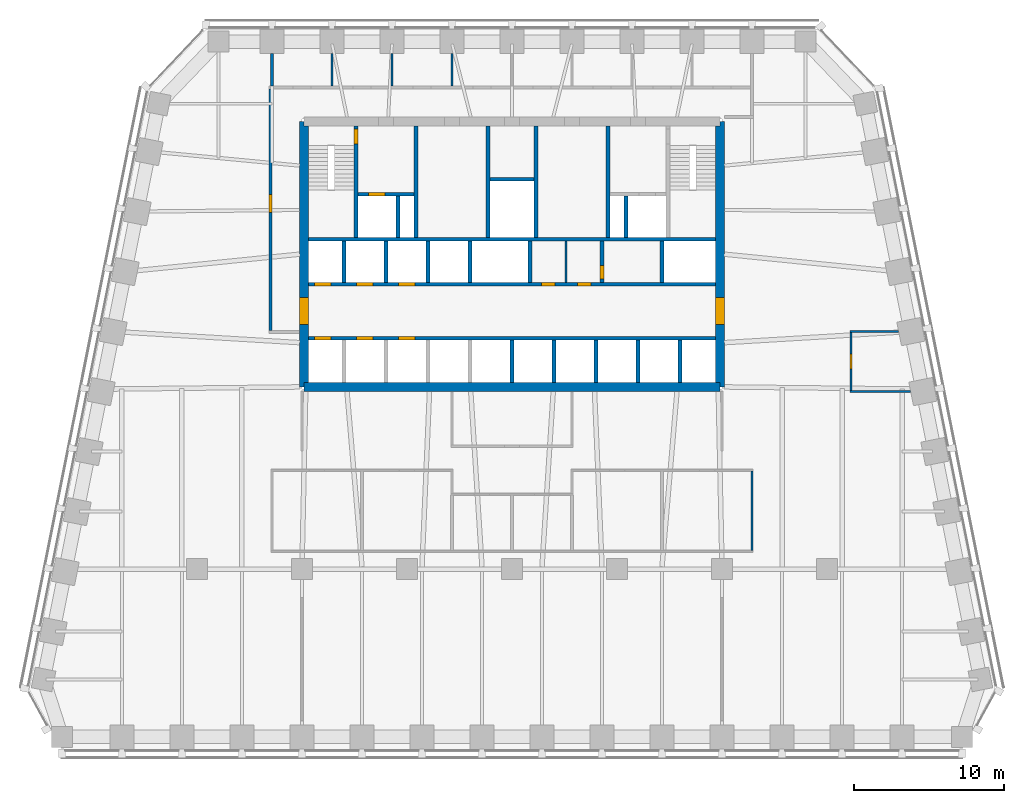
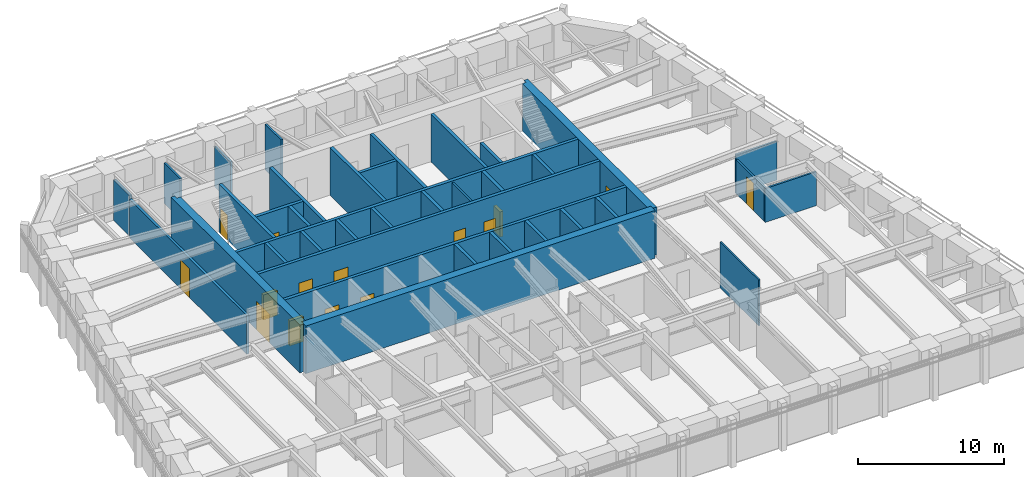
# One storey, part 6 of 9: 37 walls, 15 doors, 15 openings.
"""IFC4 building model written with IfcOpenShell, lengths in metres."""

from ifc_helpers import new_model, si_unit, direction, frame, frame_2d, origin, place, context, subcontext, project, spatial, polyline, rectangle, outline, extrude, material, layer, layer_set, type_object, element, fill, save


model = new_model("IFC4")

# Units and contexts
model_context = context("Model", 3, precision=1e-05, world=origin(), true_north=direction((0.0, 1.0)))
body_context = subcontext(model_context, "Body", "Model", "MODEL_VIEW")
ifc_project = project(units=[si_unit("LENGTHUNIT", "METRE"), si_unit("AREAUNIT", "SQUARE_METRE"), si_unit("VOLUMEUNIT", "CUBIC_METRE"), si_unit("PLANEANGLEUNIT", "RADIAN"), si_unit("MASSUNIT", "GRAM", prefix="KILO")], contexts=[model_context])

# Site, building, storey
site_placement = place(None, origin())
site = spatial("IfcSite", under=ifc_project, at=site_placement, CompositionType="ELEMENT")
building_placement = place(site_placement, origin())
building = spatial("IfcBuilding", under=site, at=building_placement, Name="Isbrekke Arena Tower", CompositionType="ELEMENT")
storey_placement = place(building_placement, frame((0.0, 0.0, 178.0)))
storey = spatial("IfcBuildingStorey", under=building, at=storey_placement, Name="L40", CompositionType="ELEMENT", Elevation=178.0)

# Wall
ifc_material_1 = material(Name="Concrete B55 (C55/67)", Category="concrete")
ifc_layer_1 = layer(ifc_material_1, 0.60009765625)
ifc_layer_set_1 = layer_set([ifc_layer_1], Name="CW4 CORE WALL 600")
wall_type_1 = type_object("IfcWallType", Name="CW4 CORE WALL 600", PredefinedType="SHEAR", material=ifc_layer_set_1)
wall_1_placement = place(storey_placement, frame((-13.85009765625, 6.14990234375, 0.0), z_axis=(0.0, 0.0, 1.0), x_axis=(1.0, 0.0, 0.0)))
element("IfcWall", 1, at=wall_1_placement, inside=storey, type_object=wall_type_1, Name="Core wall S L40", PredefinedType="SHEAR", context=body_context, shape_type="SweptSolid", body=[
    extrude(rectangle(XDim=27.7001953125, YDim=0.60009765625, at=frame_2d((13.85009765625, 0.0))), origin(), (0.0, 0.0, 1.0), 4.0),
])

# Wall, opening, door
wall_2_placement = place(storey_placement, frame((13.85009765625, 6.14990234375, 0.0), z_axis=(0.0, 0.0, 1.0), x_axis=(0.0, 1.0, 0.0)))
wall_2 = element("IfcWall", 2, at=wall_2_placement, inside=storey, type_object=wall_type_1, Name="Core wall E L40", PredefinedType="SHEAR", context=body_context, shape_type="SweptSolid", body=[
    extrude(outline(polyline([(0.0, -0.300048828125), (17.7001953125, -0.300048828125), (17.7001953125, 0.0), (17.400146484375, 0.0), (17.400146484375, 0.300048828125), (0.300048828125, 0.300048828125), (0.300048828125, 0.0), (0.0, 0.0), (0.0, -0.300048828125)])), origin(), (0.0, 0.0, 1.0), 4.0),
])
opening_1_placement = place(wall_2_placement, frame((4.14990234375, 0.0, 0.0)))
opening_1 = element("IfcOpeningElement", 3, at=opening_1_placement, cuts=wall_2, Name="Opening D1", PredefinedType="OPENING", context=body_context, shape_type="SweptSolid", body=[
    extrude(rectangle(XDim=1.800048828125, YDim=2.39990234375, at=frame_2d((0.89990234375, 1.199951171875))), frame((0.0, 0.31494140625, 0.0), z_axis=(0.0, -1.0, 0.0), x_axis=(1.0, 0.0, 0.0)), (0.0, 0.0, 1.0), 0.6298828125),
])
ifc_material_2 = material(Name="Steel-framed glazed fire door", Category="steel")
door_type_1 = type_object("IfcDoorType", Name="D1 CORE LOBBY DOOR 1800 x 2400", OperationType="DOUBLE_DOOR_SINGLE_SWING", PredefinedType="DOOR", material=ifc_material_2)
door_1_placement = place(opening_1_placement, origin())
door_1 = element("IfcDoor", 4, at=door_1_placement, inside=storey, type_object=door_type_1, Name="D1 lift lobby door east L40", OperationType="DOUBLE_DOOR_SINGLE_SWING", OverallHeight=2.39990234375, OverallWidth=1.800048828125, PredefinedType="DOOR", context=body_context, shape_type="SweptSolid", body=[
    extrude(rectangle(XDim=1.800048828125, YDim=2.39990234375, at=frame_2d((0.89990234375, 1.199951171875))), frame((0.0, 0.2998046875, 0.0), z_axis=(0.0, -1.0, 0.0), x_axis=(1.0, 0.0, 0.0)), (0.0, 0.0, 1.0), 0.599609375),
])
fill(opening_1, door_1)

wall_3_placement = place(storey_placement, frame((-13.85009765625, 23.85009765625, 0.0), z_axis=(0.0, 0.0, 1.0), x_axis=(0.0, -1.0, 0.0)))
wall_3 = element("IfcWall", 5, at=wall_3_placement, inside=storey, type_object=wall_type_1, Name="Core wall W L40", PredefinedType="SHEAR", context=body_context, shape_type="SweptSolid", body=[
    extrude(outline(polyline([(0.0, -0.300048828125), (17.7001953125, -0.300048828125), (17.7001953125, 0.0), (17.400146484375, 0.0), (17.400146484375, 0.300048828125), (0.300048828125, 0.300048828125), (0.300048828125, 0.0), (0.0, 0.0), (0.0, -0.300048828125)])), origin(), (0.0, 0.0, 1.0), 4.0),
])
opening_2_placement = place(wall_3_placement, frame((11.75, 0.0, 0.0)))
opening_2 = element("IfcOpeningElement", 6, at=opening_2_placement, cuts=wall_3, Name="Opening D1", PredefinedType="OPENING", context=body_context, shape_type="SweptSolid", body=[
    extrude(rectangle(XDim=1.800048828125, YDim=2.39990234375, at=frame_2d((0.89990234375, 1.199951171875))), frame((0.0, 0.31494140625, 0.0), z_axis=(0.0, -1.0, 0.0), x_axis=(1.0, 0.0, 0.0)), (0.0, 0.0, 1.0), 0.6298828125),
])
door_2_placement = place(opening_2_placement, origin())
door_2 = element("IfcDoor", 7, at=door_2_placement, inside=storey, type_object=door_type_1, Name="D1 lift lobby door west L40", OperationType="DOUBLE_DOOR_SINGLE_SWING", OverallHeight=2.39990234375, OverallWidth=1.800048828125, PredefinedType="DOOR", context=body_context, shape_type="SweptSolid", body=[
    extrude(rectangle(XDim=1.800048828125, YDim=2.39990234375, at=frame_2d((0.89990234375, 1.199951171875))), frame((0.0, 0.2998046875, 0.0), z_axis=(0.0, -1.0, 0.0), x_axis=(1.0, 0.0, 0.0)), (0.0, 0.0, 1.0), 0.599609375),
])
fill(opening_2, door_2)

# Wall, openings, doors
ifc_material_3 = material(Name="Concrete B45 (C45/55)", Category="concrete")
ifc_layer_2 = layer(ifc_material_3, 0.25)
ifc_layer_set_2 = layer_set([ifc_layer_2], Name="CW6 SHAFT WALL 250")
wall_type_2 = type_object("IfcWallType", Name="CW6 SHAFT WALL 250", PredefinedType="SHEAR", material=ifc_layer_set_2)
wall_4_placement = place(storey_placement, frame((-13.550048828125, 9.39990234375, 0.0), z_axis=(0.0, 0.0, 1.0), x_axis=(1.0, 0.0, 0.0)))
wall_4 = element("IfcWall", 8, at=wall_4_placement, inside=storey, type_object=wall_type_2, Name="Core wall LS L40", PredefinedType="SHEAR", context=body_context, shape_type="SweptSolid", body=[
    extrude(rectangle(XDim=27.10009765625, YDim=0.25, at=frame_2d((13.550048828125, 0.0))), origin(), (0.0, 0.0, 1.0), 4.0),
])
opening_3_placement = place(wall_4_placement, frame((0.39990234375, 0.0, 0.0)))
opening_3 = element("IfcOpeningElement", 9, at=opening_3_placement, cuts=wall_4, Name="Opening LD1", PredefinedType="OPENING", context=body_context, shape_type="SweptSolid", body=[
    extrude(rectangle(XDim=1.10009765625, YDim=2.10009765625, at=frame_2d((0.550048828125, 1.050048828125))), frame((0.0, 0.139892578125, 0.0), z_axis=(0.0, -1.0, 0.0), x_axis=(1.0, 0.0, 0.0)), (0.0, 0.0, 1.0), 0.27978515625),
])
opening_4_placement = place(wall_4_placement, frame((3.199951171875, 0.0, 0.0)))
opening_4 = element("IfcOpeningElement", 10, at=opening_4_placement, cuts=wall_4, Name="Opening LD1", PredefinedType="OPENING", context=body_context, shape_type="SweptSolid", body=[
    extrude(rectangle(XDim=1.10009765625, YDim=2.10009765625, at=frame_2d((0.550048828125, 1.050048828125))), frame((0.0, 0.139892578125, 0.0), z_axis=(0.0, -1.0, 0.0), x_axis=(1.0, 0.0, 0.0)), (0.0, 0.0, 1.0), 0.27978515625),
])
opening_5_placement = place(wall_4_placement, frame((6.0, 0.0, 0.0)))
opening_5 = element("IfcOpeningElement", 11, at=opening_5_placement, cuts=wall_4, Name="Opening LD1", PredefinedType="OPENING", context=body_context, shape_type="SweptSolid", body=[
    extrude(rectangle(XDim=1.10009765625, YDim=2.10009765625, at=frame_2d((0.550048828125, 1.050048828125))), frame((0.0, 0.139892578125, 0.0), z_axis=(0.0, -1.0, 0.0), x_axis=(1.0, 0.0, 0.0)), (0.0, 0.0, 1.0), 0.27978515625),
])
ifc_material_4 = material(Name="Stainless steel lift landing door", Category="steel")
door_type_2 = type_object("IfcDoorType", Name="LD1 LIFT LANDING DOOR 1100 x 2100", OperationType="SLIDING_TO_LEFT", PredefinedType="DOOR", material=ifc_material_4)
door_3_placement = place(opening_3_placement, origin())
door_3 = element("IfcDoor", 12, at=door_3_placement, inside=storey, type_object=door_type_2, Name="LD1 lift landing door LC L40", OperationType="SLIDING_TO_LEFT", OverallHeight=2.10009765625, OverallWidth=1.10009765625, PredefinedType="DOOR", context=body_context, shape_type="SweptSolid", body=[
    extrude(rectangle(XDim=1.10009765625, YDim=2.10009765625, at=frame_2d((0.550048828125, 1.050048828125))), frame((0.0, 0.124755859375, 0.0), z_axis=(0.0, -1.0, 0.0), x_axis=(1.0, 0.0, 0.0)), (0.0, 0.0, 1.0), 0.24951171875),
])
fill(opening_3, door_3)
door_4_placement = place(opening_4_placement, origin())
door_4 = element("IfcDoor", 13, at=door_4_placement, inside=storey, type_object=door_type_2, Name="LD1 lift landing door LC L40", OperationType="SLIDING_TO_LEFT", OverallHeight=2.10009765625, OverallWidth=1.10009765625, PredefinedType="DOOR", context=body_context, shape_type="SweptSolid", body=[
    extrude(rectangle(XDim=1.10009765625, YDim=2.10009765625, at=frame_2d((0.550048828125, 1.050048828125))), frame((0.0, 0.124755859375, 0.0), z_axis=(0.0, -1.0, 0.0), x_axis=(1.0, 0.0, 0.0)), (0.0, 0.0, 1.0), 0.24951171875),
])
fill(opening_4, door_4)
door_5_placement = place(opening_5_placement, origin())
door_5 = element("IfcDoor", 14, at=door_5_placement, inside=storey, type_object=door_type_2, Name="LD1 lift landing door LC L40", OperationType="SLIDING_TO_LEFT", OverallHeight=2.10009765625, OverallWidth=1.10009765625, PredefinedType="DOOR", context=body_context, shape_type="SweptSolid", body=[
    extrude(rectangle(XDim=1.10009765625, YDim=2.10009765625, at=frame_2d((0.550048828125, 1.050048828125))), frame((0.0, 0.124755859375, 0.0), z_axis=(0.0, -1.0, 0.0), x_axis=(1.0, 0.0, 0.0)), (0.0, 0.0, 1.0), 0.24951171875),
])
fill(opening_5, door_5)

wall_5_placement = place(storey_placement, frame((-13.550048828125, 13.0, 0.0), z_axis=(0.0, 0.0, 1.0), x_axis=(1.0, 0.0, 0.0)))
wall_5 = element("IfcWall", 15, at=wall_5_placement, inside=storey, type_object=wall_type_2, Name="Core wall LN L40", PredefinedType="SHEAR", context=body_context, shape_type="SweptSolid", body=[
    extrude(rectangle(XDim=27.10009765625, YDim=0.25, at=frame_2d((13.550048828125, 0.0))), origin(), (0.0, 0.0, 1.0), 4.0),
])
opening_6_placement = place(wall_5_placement, frame((0.39990234375, 0.0, 0.0)))
opening_6 = element("IfcOpeningElement", 16, at=opening_6_placement, cuts=wall_5, Name="Opening LD1", PredefinedType="OPENING", context=body_context, shape_type="SweptSolid", body=[
    extrude(rectangle(XDim=1.10009765625, YDim=2.10009765625, at=frame_2d((0.550048828125, 1.050048828125))), frame((0.0, 0.139892578125, 0.0), z_axis=(0.0, -1.0, 0.0), x_axis=(1.0, 0.0, 0.0)), (0.0, 0.0, 1.0), 0.27978515625),
])
opening_7_placement = place(wall_5_placement, frame((3.199951171875, 0.0, 0.0)))
opening_7 = element("IfcOpeningElement", 17, at=opening_7_placement, cuts=wall_5, Name="Opening LD1", PredefinedType="OPENING", context=body_context, shape_type="SweptSolid", body=[
    extrude(rectangle(XDim=1.10009765625, YDim=2.10009765625, at=frame_2d((0.550048828125, 1.050048828125))), frame((0.0, 0.139892578125, 0.0), z_axis=(0.0, -1.0, 0.0), x_axis=(1.0, 0.0, 0.0)), (0.0, 0.0, 1.0), 0.27978515625),
])
opening_8_placement = place(wall_5_placement, frame((6.0, 0.0, 0.0)))
opening_8 = element("IfcOpeningElement", 18, at=opening_8_placement, cuts=wall_5, Name="Opening LD1", PredefinedType="OPENING", context=body_context, shape_type="SweptSolid", body=[
    extrude(rectangle(XDim=1.10009765625, YDim=2.10009765625, at=frame_2d((0.550048828125, 1.050048828125))), frame((0.0, 0.139892578125, 0.0), z_axis=(0.0, -1.0, 0.0), x_axis=(1.0, 0.0, 0.0)), (0.0, 0.0, 1.0), 0.27978515625),
])
opening_9_placement = place(wall_5_placement, frame((15.5, 0.0, 0.0)))
opening_9 = element("IfcOpeningElement", 19, at=opening_9_placement, cuts=wall_5, Name="Opening D5", PredefinedType="OPENING", context=body_context, shape_type="SweptSolid", body=[
    extrude(rectangle(XDim=0.89990234375, YDim=2.10009765625, at=frame_2d((0.449951171875, 1.050048828125))), frame((0.0, 0.139892578125, 0.0), z_axis=(0.0, -1.0, 0.0), x_axis=(1.0, 0.0, 0.0)), (0.0, 0.0, 1.0), 0.27978515625),
])
opening_10_placement = place(wall_5_placement, frame((17.89990234375, 0.0, 0.0)))
opening_10 = element("IfcOpeningElement", 20, at=opening_10_placement, cuts=wall_5, Name="Opening D5", PredefinedType="OPENING", context=body_context, shape_type="SweptSolid", body=[
    extrude(rectangle(XDim=0.89990234375, YDim=2.10009765625, at=frame_2d((0.449951171875, 1.050048828125))), frame((0.0, 0.139892578125, 0.0), z_axis=(0.0, -1.0, 0.0), x_axis=(1.0, 0.0, 0.0)), (0.0, 0.0, 1.0), 0.27978515625),
])
ifc_material_5 = material(Name="Steel fire door", Category="steel")
door_type_3 = type_object("IfcDoorType", Name="D5 SERVICE DOOR 900 x 2100", OperationType="SINGLE_SWING_LEFT", PredefinedType="DOOR", material=ifc_material_5)
door_6_placement = place(opening_9_placement, origin())
door_6 = element("IfcDoor", 21, at=door_6_placement, inside=storey, type_object=door_type_3, Name="D5 communications room door L40", OperationType="SINGLE_SWING_LEFT", OverallHeight=2.10009765625, OverallWidth=0.89990234375, PredefinedType="DOOR", context=body_context, shape_type="SweptSolid", body=[
    extrude(rectangle(XDim=0.89990234375, YDim=2.10009765625, at=frame_2d((0.449951171875, 1.050048828125))), frame((0.0, 0.124755859375, 0.0), z_axis=(0.0, -1.0, 0.0), x_axis=(1.0, 0.0, 0.0)), (0.0, 0.0, 1.0), 0.24951171875),
])
fill(opening_9, door_6)
door_7_placement = place(opening_10_placement, origin())
door_7 = element("IfcDoor", 22, at=door_7_placement, inside=storey, type_object=door_type_3, Name="D5 cleaner's store door L40", OperationType="SINGLE_SWING_LEFT", OverallHeight=2.10009765625, OverallWidth=0.89990234375, PredefinedType="DOOR", context=body_context, shape_type="SweptSolid", body=[
    extrude(rectangle(XDim=0.89990234375, YDim=2.10009765625, at=frame_2d((0.449951171875, 1.050048828125))), frame((0.0, 0.124755859375, 0.0), z_axis=(0.0, -1.0, 0.0), x_axis=(1.0, 0.0, 0.0)), (0.0, 0.0, 1.0), 0.24951171875),
])
fill(opening_10, door_7)
door_8_placement = place(opening_6_placement, origin())
door_8 = element("IfcDoor", 23, at=door_8_placement, inside=storey, type_object=door_type_2, Name="LD1 lift landing door LC L40", OperationType="SLIDING_TO_LEFT", OverallHeight=2.10009765625, OverallWidth=1.10009765625, PredefinedType="DOOR", context=body_context, shape_type="SweptSolid", body=[
    extrude(rectangle(XDim=1.10009765625, YDim=2.10009765625, at=frame_2d((0.550048828125, 1.050048828125))), frame((0.0, 0.124755859375, 0.0), z_axis=(0.0, -1.0, 0.0), x_axis=(1.0, 0.0, 0.0)), (0.0, 0.0, 1.0), 0.24951171875),
])
fill(opening_6, door_8)
door_9_placement = place(opening_7_placement, origin())
door_9 = element("IfcDoor", 24, at=door_9_placement, inside=storey, type_object=door_type_2, Name="LD1 lift landing door LC L40", OperationType="SLIDING_TO_LEFT", OverallHeight=2.10009765625, OverallWidth=1.10009765625, PredefinedType="DOOR", context=body_context, shape_type="SweptSolid", body=[
    extrude(rectangle(XDim=1.10009765625, YDim=2.10009765625, at=frame_2d((0.550048828125, 1.050048828125))), frame((0.0, 0.124755859375, 0.0), z_axis=(0.0, -1.0, 0.0), x_axis=(1.0, 0.0, 0.0)), (0.0, 0.0, 1.0), 0.24951171875),
])
fill(opening_7, door_9)
door_10_placement = place(opening_8_placement, origin())
door_10 = element("IfcDoor", 25, at=door_10_placement, inside=storey, type_object=door_type_2, Name="LD1 lift landing door LC L40", OperationType="SLIDING_TO_LEFT", OverallHeight=2.10009765625, OverallWidth=1.10009765625, PredefinedType="DOOR", context=body_context, shape_type="SweptSolid", body=[
    extrude(rectangle(XDim=1.10009765625, YDim=2.10009765625, at=frame_2d((0.550048828125, 1.050048828125))), frame((0.0, 0.124755859375, 0.0), z_axis=(0.0, -1.0, 0.0), x_axis=(1.0, 0.0, 0.0)), (0.0, 0.0, 1.0), 0.24951171875),
])
fill(opening_8, door_10)

# Walls
wall_6_placement = place(storey_placement, frame((-13.550048828125, 16.0, 0.0), z_axis=(0.0, 0.0, 1.0), x_axis=(1.0, 0.0, 0.0)))
element("IfcWall", 26, at=wall_6_placement, inside=storey, type_object=wall_type_2, Name="Core wall NB L40", PredefinedType="SHEAR", context=body_context, shape_type="SweptSolid", body=[
    extrude(rectangle(XDim=27.10009765625, YDim=0.25, at=frame_2d((13.550048828125, 0.0))), origin(), (0.0, 0.0, 1.0), 4.0),
])
for number, where, z_axis, x_axis, name in (
    (27, (0.0, 6.449951171875, 0.0), (0.0, 0.0, 1.0), (0.0, 1.0, 0.0), "Core wall SS05 L40"),
    (28, (2.800048828125, 6.449951171875, 0.0), (0.0, 0.0, 1.0), (0.0, 1.0, 0.0), "Core wall SS06 L40"),
    (29, (5.60009765625, 6.449951171875, 0.0), (0.0, 0.0, 1.0), (0.0, 1.0, 0.0), "Core wall SS07 L40"),
    (30, (8.39990234375, 6.449951171875, 0.0), (0.0, 0.0, 1.0), (0.0, 1.0, 0.0), "Core wall SS08 L40"),
    (31, (11.199951171875, 6.449951171875, 0.0), (0.0, 0.0, 1.0), (0.0, 1.0, 0.0), "Core wall SS09 L40"),
):
    element("IfcWall", number, at=place(storey_placement, frame(where, z_axis=z_axis, x_axis=x_axis)), inside=storey, type_object=wall_type_2, Name=name, PredefinedType="SHEAR", context=body_context, shape_type="SweptSolid", body=[
        extrude(rectangle(XDim=2.824951171875, YDim=0.25, at=frame_2d((1.41259765625, 0.0))), origin(), (0.0, 0.0, 1.0), 4.0),
    ])
for number, where, z_axis, x_axis, name in (
    (32, (-11.199951171875, 13.125, 0.0), (0.0, 0.0, 1.0), (0.0, 1.0, 0.0), "Core wall SN01 L40"),
    (33, (-8.39990234375, 13.125, 0.0), (0.0, 0.0, 1.0), (0.0, 1.0, 0.0), "Core wall SN02 L40"),
    (34, (-5.60009765625, 13.125, 0.0), (0.0, 0.0, 1.0), (0.0, 1.0, 0.0), "Core wall SN03 L40"),
    (35, (-2.800048828125, 13.125, 0.0), (0.0, 0.0, 1.0), (0.0, 1.0, 0.0), "Core wall SN04 L40"),
    (36, (1.199951171875, 13.125, 0.0), (0.0, 0.0, 1.0), (0.0, 1.0, 0.0), "Core wall SN05 L40"),
):
    element("IfcWall", number, at=place(storey_placement, frame(where, z_axis=z_axis, x_axis=x_axis)), inside=storey, type_object=wall_type_2, Name=name, PredefinedType="SHEAR", context=body_context, shape_type="SweptSolid", body=[
        extrude(rectangle(XDim=2.75, YDim=0.25, at=frame_2d((1.375, 0.0))), origin(), (0.0, 0.0, 1.0), 4.0),
    ])

# Wall, opening, door
wall_7_placement = place(storey_placement, frame((6.0, 13.125, 0.0), z_axis=(0.0, 0.0, 1.0), x_axis=(0.0, 1.0, 0.0)))
wall_7 = element("IfcWall", 37, at=wall_7_placement, inside=storey, type_object=wall_type_2, Name="Core wall SN06 L40", PredefinedType="SHEAR", context=body_context, shape_type="SweptSolid", body=[
    extrude(rectangle(XDim=2.75, YDim=0.25, at=frame_2d((1.375, 0.0))), origin(), (0.0, 0.0, 1.0), 4.0),
])
opening_11_placement = place(wall_7_placement, frame((0.22509765625, 0.0, 0.0)))
opening_11 = element("IfcOpeningElement", 38, at=opening_11_placement, cuts=wall_7, Name="Opening D5", PredefinedType="OPENING", context=body_context, shape_type="SweptSolid", body=[
    extrude(rectangle(XDim=0.89990234375, YDim=2.10009765625, at=frame_2d((0.449951171875, 1.050048828125))), frame((0.0, 0.139892578125, 0.0), z_axis=(0.0, -1.0, 0.0), x_axis=(1.0, 0.0, 0.0)), (0.0, 0.0, 1.0), 0.27978515625),
])
door_11_placement = place(opening_11_placement, frame((0.89990234375, 0.0, 0.0), z_axis=(0.0, 0.0, 1.0), x_axis=(-1.0, 0.0, 0.0)))
door_11 = element("IfcDoor", 39, at=door_11_placement, inside=storey, type_object=door_type_3, Name="D5 tenant store door L40", OperationType="SINGLE_SWING_LEFT", OverallHeight=2.10009765625, OverallWidth=0.89990234375, PredefinedType="DOOR", context=body_context, shape_type="SweptSolid", body=[
    extrude(rectangle(XDim=0.89990234375, YDim=2.10009765625, at=frame_2d((0.449951171875, 1.050048828125))), frame((0.0, 0.124755859375, 0.0), z_axis=(0.0, -1.0, 0.0), x_axis=(1.0, 0.0, 0.0)), (0.0, 0.0, 1.0), 0.24951171875),
])
fill(opening_11, door_11)

# Wall
wall_8_placement = place(storey_placement, frame((10.0, 13.125, 0.0), z_axis=(0.0, 0.0, 1.0), x_axis=(0.0, 1.0, 0.0)))
element("IfcWall", 40, at=wall_8_placement, inside=storey, type_object=wall_type_2, Name="Core wall SN07 L40", PredefinedType="SHEAR", context=body_context, shape_type="SweptSolid", body=[
    extrude(rectangle(XDim=2.75, YDim=0.25, at=frame_2d((1.375, 0.0))), origin(), (0.0, 0.0, 1.0), 4.0),
])

# Wall, opening, door
wall_9_placement = place(storey_placement, frame((-10.39990234375, 16.125, 0.0), z_axis=(0.0, 0.0, 1.0), x_axis=(0.0, 1.0, 0.0)))
wall_9 = element("IfcWall", 41, at=wall_9_placement, inside=storey, type_object=wall_type_2, Name="Core wall NV01 L40", PredefinedType="SHEAR", context=body_context, shape_type="SweptSolid", body=[
    extrude(rectangle(XDim=7.425048828125, YDim=0.25, at=frame_2d((3.71240234375, 0.0))), origin(), (0.0, 0.0, 1.0), 4.0),
])
opening_12_placement = place(wall_9_placement, frame((6.22509765625, 0.0, 0.0)))
opening_12 = element("IfcOpeningElement", 42, at=opening_12_placement, cuts=wall_9, Name="Opening D2", PredefinedType="OPENING", context=body_context, shape_type="SweptSolid", body=[
    extrude(rectangle(XDim=1.0, YDim=2.10009765625, at=frame_2d((0.5, 1.050048828125))), frame((0.0, 0.139892578125, 0.0), z_axis=(0.0, -1.0, 0.0), x_axis=(1.0, 0.0, 0.0)), (0.0, 0.0, 1.0), 0.27978515625),
])
ifc_material_6 = material(Name="Steel fire door", Category="steel")
door_type_4 = type_object("IfcDoorType", Name="D2 STAIR DOOR 1000 x 2100", OperationType="SINGLE_SWING_LEFT", PredefinedType="DOOR", material=ifc_material_6)
door_12_placement = place(opening_12_placement, origin())
door_12 = element("IfcDoor", 43, at=door_12_placement, inside=storey, type_object=door_type_4, Name="D2 stair door ST1 L40", OperationType="SINGLE_SWING_LEFT", OverallHeight=2.10009765625, OverallWidth=1.0, PredefinedType="DOOR", context=body_context, shape_type="SweptSolid", body=[
    extrude(rectangle(XDim=1.0, YDim=2.10009765625, at=frame_2d((0.5, 1.050048828125))), frame((0.0, 0.124755859375, 0.0), z_axis=(0.0, -1.0, 0.0), x_axis=(1.0, 0.0, 0.0)), (0.0, 0.0, 1.0), 0.24951171875),
])
fill(opening_12, door_12)

# Walls
for number, where, z_axis, x_axis, name in (
    (44, (-6.39990234375, 16.125, 0.0), (0.0, 0.0, 1.0), (0.0, 1.0, 0.0), "Core wall NV02 L40"),
    (45, (-1.60009765625, 16.125, 0.0), (0.0, 0.0, 1.0), (0.0, 1.0, 0.0), "Core wall NV03 L40"),
    (46, (1.60009765625, 16.125, 0.0), (0.0, 0.0, 1.0), (0.0, 1.0, 0.0), "Core wall NV04 L40"),
    (47, (6.39990234375, 16.125, 0.0), (0.0, 0.0, 1.0), (0.0, 1.0, 0.0), "Core wall NV05 L40"),
):
    element("IfcWall", number, at=place(storey_placement, frame(where, z_axis=z_axis, x_axis=x_axis)), inside=storey, type_object=wall_type_2, Name=name, PredefinedType="SHEAR", context=body_context, shape_type="SweptSolid", body=[
        extrude(rectangle(XDim=7.425048828125, YDim=0.25, at=frame_2d((3.71240234375, 0.0))), origin(), (0.0, 0.0, 1.0), 4.0),
    ])

# Wall, opening, door
wall_10_placement = place(storey_placement, frame((-10.27490234375, 19.0, 0.0), z_axis=(0.0, 0.0, 1.0), x_axis=(1.0, 0.0, 0.0)))
wall_10 = element("IfcWall", 48, at=wall_10_placement, inside=storey, type_object=wall_type_2, Name="Core wall NFW L40", PredefinedType="SHEAR", context=body_context, shape_type="SweptSolid", body=[
    extrude(rectangle(XDim=3.75, YDim=0.25, at=frame_2d((1.875, 0.0))), origin(), (0.0, 0.0, 1.0), 4.0),
])
opening_13_placement = place(wall_10_placement, frame((0.72509765625, 0.0, 0.0)))
opening_13 = element("IfcOpeningElement", 49, at=opening_13_placement, cuts=wall_10, Name="Opening LD2", PredefinedType="OPENING", context=body_context, shape_type="SweptSolid", body=[
    extrude(rectangle(XDim=1.10009765625, YDim=2.10009765625, at=frame_2d((0.550048828125, 1.050048828125))), frame((0.0, 0.139892578125, 0.0), z_axis=(0.0, -1.0, 0.0), x_axis=(1.0, 0.0, 0.0)), (0.0, 0.0, 1.0), 0.27978515625),
])
ifc_material_7 = material(Name="Stainless steel lift landing door", Category="steel")
door_type_5 = type_object("IfcDoorType", Name="LD2 FIRE-FIGHTING LIFT LANDING DOOR 1100 x 2100", OperationType="SLIDING_TO_RIGHT", PredefinedType="DOOR", material=ifc_material_7)
door_13_placement = place(opening_13_placement, origin())
door_13 = element("IfcDoor", 50, at=door_13_placement, inside=storey, type_object=door_type_5, Name="LD2 lift landing door LF L40", OperationType="SLIDING_TO_RIGHT", OverallHeight=2.10009765625, OverallWidth=1.10009765625, PredefinedType="DOOR", context=body_context, shape_type="SweptSolid", body=[
    extrude(rectangle(XDim=1.10009765625, YDim=2.10009765625, at=frame_2d((0.550048828125, 1.050048828125))), frame((0.0, 0.124755859375, 0.0), z_axis=(0.0, -1.0, 0.0), x_axis=(1.0, 0.0, 0.0)), (0.0, 0.0, 1.0), 0.24951171875),
])
fill(opening_13, door_13)

# Walls
for number, where, z_axis, x_axis, name in (
    (51, (-7.60009765625, 16.125, 0.0), (0.0, 0.0, 1.0), (0.0, 1.0, 0.0), "Core wall NFS1 L40"),
    (52, (7.60009765625, 16.125, 0.0), (0.0, 0.0, 1.0), (0.0, 1.0, 0.0), "Core wall NFS2 L40"),
):
    element("IfcWall", number, at=place(storey_placement, frame(where, z_axis=z_axis, x_axis=x_axis)), inside=storey, type_object=wall_type_2, Name=name, PredefinedType="SHEAR", context=body_context, shape_type="SweptSolid", body=[
        extrude(rectangle(XDim=2.75, YDim=0.25, at=frame_2d((1.375, 0.0))), origin(), (0.0, 0.0, 1.0), 4.0),
    ])
wall_11_placement = place(storey_placement, frame((-1.47509765625, 20.0, 0.0), z_axis=(0.0, 0.0, 1.0), x_axis=(1.0, 0.0, 0.0)))
element("IfcWall", 53, at=wall_11_placement, inside=storey, type_object=wall_type_2, Name="Core wall NWC L40", PredefinedType="SHEAR", context=body_context, shape_type="SweptSolid", body=[
    extrude(rectangle(XDim=2.9501953125, YDim=0.25, at=frame_2d((1.47509765625, 0.0))), origin(), (0.0, 0.0, 1.0), 4.0),
])
ifc_material_8 = material(Name="Gypsum board partition on steel studs", Category="steel")
ifc_layer_3 = layer(ifc_material_8, 0.14990234375)
ifc_layer_set_3 = layer_set([ifc_layer_3], Name="IW1 PARTITION 150")
wall_type_3 = type_object("IfcWallType", Name="IW1 PARTITION 150", PredefinedType="PARTITIONING", material=ifc_layer_set_3)
wall_12_placement = place(storey_placement, frame((22.52490234375, 5.840087890625, 0.0), z_axis=(0.0, 0.0, 1.0), x_axis=(1.0, 0.0, 0.0)))
element("IfcWall", 54, at=wall_12_placement, inside=storey, type_object=wall_type_3, Name="IW1 partition 150 L40", PredefinedType="PARTITIONING", context=body_context, shape_type="SweptSolid", body=[
    extrude(rectangle(XDim=4.0498046875, YDim=0.14990234375, at=frame_2d((2.02490234375, 0.0))), origin(), (0.0, 0.0, 1.0), 2.842041015625),
])
wall_13_placement = place(storey_placement, frame((22.52490234375, 9.840087890625, 0.0), z_axis=(0.0, 0.0, 1.0), x_axis=(1.0, 0.0, 0.0)))
element("IfcWall", 55, at=wall_13_placement, inside=storey, type_object=wall_type_3, Name="IW1 partition 150 L40", PredefinedType="PARTITIONING", context=body_context, shape_type="SweptSolid", body=[
    extrude(rectangle(XDim=3.25, YDim=0.14990234375, at=frame_2d((1.625, 0.0))), origin(), (0.0, 0.0, 1.0), 3.25),
])
for number, where, z_axis, x_axis, name in (
    (56, (-12.0, 26.199951171875, 0.0), (0.0, 0.0, 1.0), (0.0, 1.0, 0.0), "IW1 partition 150 L40"),
    (57, (-8.0, 26.199951171875, 0.0), (0.0, 0.0, 1.0), (0.0, 1.0, 0.0), "IW1 partition 150 L40"),
):
    element("IfcWall", number, at=place(storey_placement, frame(where, z_axis=z_axis, x_axis=x_axis)), inside=storey, type_object=wall_type_3, Name=name, PredefinedType="PARTITIONING", context=body_context, shape_type="SweptSolid", body=[
        extrude(rectangle(XDim=2.175048828125, YDim=0.14990234375, at=frame_2d((1.08740234375, 0.0))), origin(), (0.0, 0.0, 1.0), 3.39990234375),
    ])
wall_14_placement = place(storey_placement, frame((-4.0, 26.199951171875, 0.0), z_axis=(0.0, 0.0, 1.0), x_axis=(0.0, 1.0, 0.0)))
element("IfcWall", 58, at=wall_14_placement, inside=storey, type_object=wall_type_3, Name="IW1 partition 150 L40", PredefinedType="PARTITIONING", context=body_context, shape_type="SweptSolid", body=[
    extrude(rectangle(XDim=2.175048828125, YDim=0.14990234375, at=frame_2d((1.08740234375, 0.0))), origin(), (0.0, 0.0, 1.0), 3.85009765625),
])

# Wall, opening, door
wall_15_placement = place(storey_placement, frame((22.60009765625, 5.9150390625, 0.0), z_axis=(0.0, 0.0, 1.0), x_axis=(0.0, 1.0, 0.0)))
wall_15 = element("IfcWall", 59, at=wall_15_placement, inside=storey, type_object=wall_type_3, Name="IW1 partition 150 L40", PredefinedType="PARTITIONING", context=body_context, shape_type="SweptSolid", body=[
    extrude(rectangle(XDim=3.849853515625, YDim=0.14990234375, at=frame_2d((1.9248046875, 0.0))), origin(), (0.0, 0.0, 1.0), 2.842041015625),
])
opening_14_placement = place(wall_15_placement, frame((1.425048828125, 0.0, 0.0)))
opening_14 = element("IfcOpeningElement", 60, at=opening_14_placement, cuts=wall_15, Name="Opening D10", PredefinedType="OPENING", context=body_context, shape_type="SweptSolid", body=[
    extrude(rectangle(XDim=1.0, YDim=2.300048828125, at=frame_2d((0.5, 1.14990234375))), frame((0.0, 0.08984375, 0.0), z_axis=(0.0, -1.0, 0.0), x_axis=(1.0, 0.0, 0.0)), (0.0, 0.0, 1.0), 0.1796875),
])
ifc_material_9 = material(Name="Timber door", Category="wood")
door_type_6 = type_object("IfcDoorType", Name="D10 OFFICE DOOR 1000 x 2300", OperationType="SINGLE_SWING_LEFT", PredefinedType="DOOR", material=ifc_material_9)
door_14_placement = place(opening_14_placement, origin())
door_14 = element("IfcDoor", 61, at=door_14_placement, inside=storey, type_object=door_type_6, Name="D10 pantry door L40", OperationType="SINGLE_SWING_LEFT", OverallHeight=2.300048828125, OverallWidth=1.0, PredefinedType="DOOR", context=body_context, shape_type="SweptSolid", body=[
    extrude(rectangle(XDim=1.0, YDim=2.300048828125, at=frame_2d((0.5, 1.14990234375))), frame((0.0, 0.07470703125, 0.0), z_axis=(0.0, -1.0, 0.0), x_axis=(1.0, 0.0, 0.0)), (0.0, 0.0, 1.0), 0.1494140625),
])
fill(opening_14, door_14)

# Wall
ifc_material_10 = material(Name="Frameless glazed partition, laminated acoustic glass", Category="glass")
ifc_layer_4 = layer(ifc_material_10, 0.1201171875)
ifc_layer_set_4 = layer_set([ifc_layer_4], Name="IW2 GLAZED PARTITION 120")
wall_type_4 = type_object("IfcWallType", Name="IW2 GLAZED PARTITION 120", PredefinedType="PARTITIONING", material=ifc_layer_set_4)
wall_16_placement = place(storey_placement, frame((16.0, -4.739990234375, 0.0), z_axis=(0.0, 0.0, 1.0), x_axis=(0.0, 1.0, 0.0)))
element("IfcWall", 62, at=wall_16_placement, inside=storey, type_object=wall_type_4, Name="IW2 glazed partition 120 L40", PredefinedType="PARTITIONING", context=body_context, shape_type="SweptSolid", body=[
    extrude(rectangle(XDim=5.280029296875, YDim=0.1201171875, at=frame_2d((2.64013671875, 0.0))), origin(), (0.0, 0.0, 1.0), 3.85009765625),
])

# Wall, opening, door
ifc_material_11 = material(Name="Gypsum board fire-cell wall on steel studs, two layers each side", Category="steel")
ifc_layer_5 = layer(ifc_material_11, 0.199951171875)
ifc_layer_set_5 = layer_set([ifc_layer_5], Name="IW3 FIRE-CELL WALL 200")
wall_type_5 = type_object("IfcWallType", Name="IW3 FIRE-CELL WALL 200", PredefinedType="PARTITIONING", material=ifc_layer_set_5)
wall_17_placement = place(storey_placement, frame((-16.10009765625, 9.89990234375, 0.0), z_axis=(0.0, 0.0, 1.0), x_axis=(0.0, 1.0, 0.0)))
wall_17 = element("IfcWall", 63, at=wall_17_placement, inside=storey, type_object=wall_type_5, Name="IW3 fire-cell wall 200 L40", PredefinedType="PARTITIONING", context=body_context, shape_type="SweptSolid", body=[
    extrude(rectangle(XDim=16.10009765625, YDim=0.199951171875, at=frame_2d((8.050048828125, 0.0))), origin(), (0.0, 0.0, 1.0), 3.25),
])
opening_15_placement = place(wall_17_placement, frame((7.8798828125, 0.0, 0.0)))
opening_15 = element("IfcOpeningElement", 64, at=opening_15_placement, cuts=wall_17, Name="Opening D12", PredefinedType="OPENING", context=body_context, shape_type="SweptSolid", body=[
    extrude(rectangle(XDim=1.199951171875, YDim=2.39990234375, at=frame_2d((0.60009765625, 1.199951171875))), frame((0.0, 0.11474609375, 0.0), z_axis=(0.0, -1.0, 0.0), x_axis=(1.0, 0.0, 0.0)), (0.0, 0.0, 1.0), 0.229736328125),
])
ifc_material_12 = material(Name="Timber fire door with vision panel", Category="wood")
door_type_7 = type_object("IfcDoorType", Name="D12 SUITE ENTRANCE DOOR 1200 x 2400", OperationType="SINGLE_SWING_LEFT", PredefinedType="DOOR", material=ifc_material_12)
door_15_placement = place(opening_15_placement, origin())
door_15 = element("IfcDoor", 65, at=door_15_placement, inside=storey, type_object=door_type_7, Name="D12 suite entrance A door L40", OperationType="SINGLE_SWING_LEFT", OverallHeight=2.39990234375, OverallWidth=1.199951171875, PredefinedType="DOOR", context=body_context, shape_type="SweptSolid", body=[
    extrude(rectangle(XDim=1.199951171875, YDim=2.39990234375, at=frame_2d((0.60009765625, 1.199951171875))), frame((0.0, 0.099609375, 0.0), z_axis=(0.0, -1.0, 0.0), x_axis=(1.0, 0.0, 0.0)), (0.0, 0.0, 1.0), 0.199462890625),
])
fill(opening_15, door_15)

# Walls
wall_18_placement = place(storey_placement, frame((-16.0, 26.199951171875, 0.0), z_axis=(0.0, 0.0, 1.0), x_axis=(0.0, 1.0, 0.0)))
element("IfcWall", 66, at=wall_18_placement, inside=storey, type_object=wall_type_5, Name="IW3 fire-cell wall 200 L40", PredefinedType="PARTITIONING", context=body_context, shape_type="SweptSolid", body=[
    extrude(rectangle(XDim=2.175048828125, YDim=0.199951171875, at=frame_2d((1.08740234375, 0.0))), origin(), (0.0, 0.0, 1.0), 3.39990234375),
])
ifc_material_13 = material(Name="Gypsum board fire-rated partition on steel studs, two layers each side", Category="steel")
ifc_layer_6 = layer(ifc_material_13, 0.14990234375)
ifc_layer_set_6 = layer_set([ifc_layer_6], Name="IW5 FIRE-RATED PARTITION 150")
wall_type_6 = type_object("IfcWallType", Name="IW5 FIRE-RATED PARTITION 150", PredefinedType="PARTITIONING", material=ifc_layer_set_6)
wall_19_placement = place(storey_placement, frame((3.60009765625, 13.125, 0.0), z_axis=(0.0, 0.0, 1.0), x_axis=(0.0, 1.0, 0.0)))
element("IfcWall", 67, at=wall_19_placement, inside=storey, type_object=wall_type_6, Name="IW5 fire-rated partition L40 core service rooms 1", PredefinedType="PARTITIONING", context=body_context, shape_type="SweptSolid", body=[
    extrude(rectangle(XDim=2.75, YDim=0.14990234375, at=frame_2d((1.375, 0.0))), origin(), (0.0, 0.0, 1.0), 3.85009765625),
])

save(model, "model.ifc")
